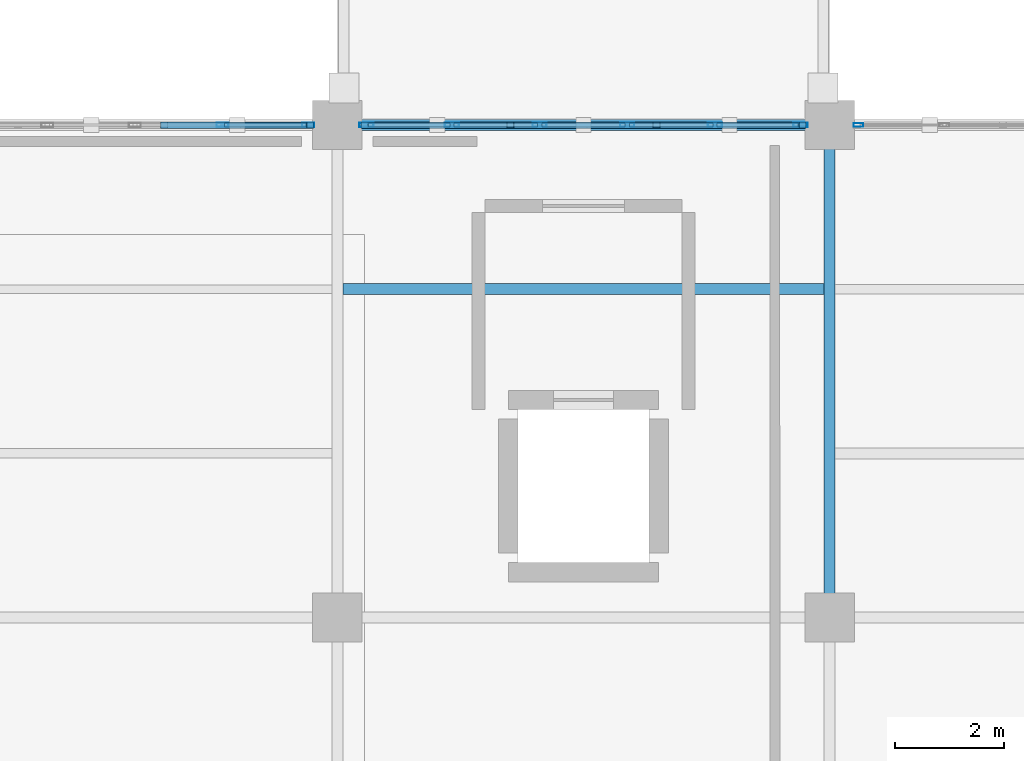
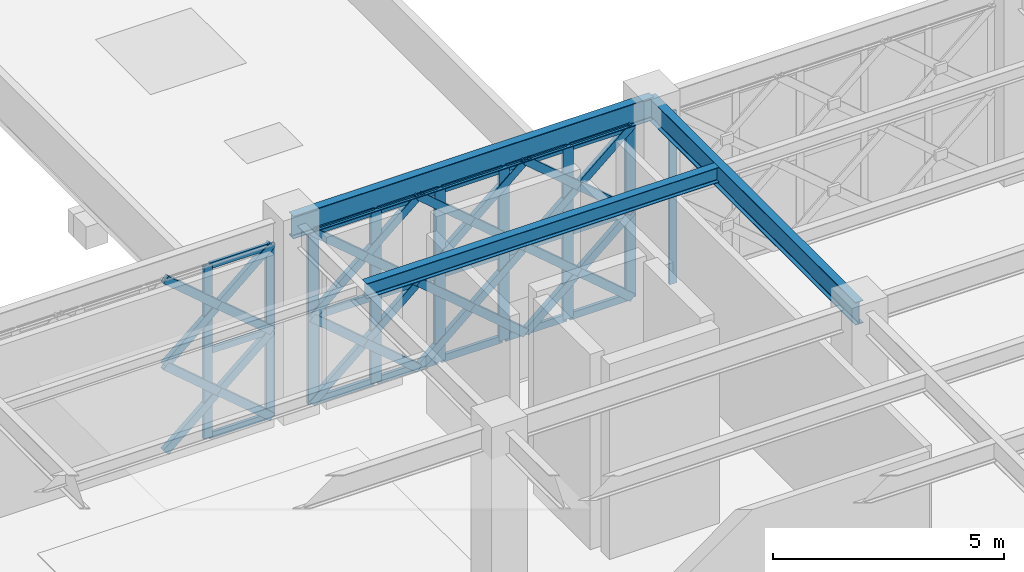
# One storey, part 24 of 155: 51 members, 3 beams, 3 elements without a shape of their own.
"""IFC4 building model written with IfcOpenShell, lengths in metres."""

from ifc_helpers import new_model, si_unit, direction, frame, origin, origin_2d, place, context, subcontext, project, spatial, hollow_rectangle, i_section, extrude, material, material_profile, profile_set, type_object, element, aggregate, save


model = new_model("IFC4")

# Units and contexts
model_context = context("Model", 3, precision=1e-05, world=origin(), true_north=direction((0.0, 1.0)))
body_context = subcontext(model_context, "Body", "Model", "MODEL_VIEW")
ifc_project = project(units=[si_unit("LENGTHUNIT", "METRE"), si_unit("AREAUNIT", "SQUARE_METRE"), si_unit("VOLUMEUNIT", "CUBIC_METRE"), si_unit("PLANEANGLEUNIT", "RADIAN"), si_unit("MASSUNIT", "GRAM", prefix="KILO")], contexts=[model_context])

# Site, building, storey
site_placement = place(None, origin())
site = spatial("IfcSite", under=ifc_project, at=site_placement, CompositionType="ELEMENT")
building_placement = place(site_placement, origin())
building = spatial("IfcBuilding", under=site, at=building_placement, Name="Haizhuo Lancet Aquarium", CompositionType="ELEMENT")
storey_placement = place(building_placement, frame((0.0, 0.0, 10.800048828125)))
storey = spatial("IfcBuildingStorey", under=building, at=storey_placement, Name="L02", CompositionType="ELEMENT", Elevation=10.800048828125)

# Beams
ifc_material_1 = material(Name="Steel S355", Category="steel")
ifc_material_profile_1 = material_profile(ifc_material_1, i_section(OverallWidth=0.199951171875, OverallDepth=0.60009765625, WebThickness=0.010986328125, FlangeThickness=0.01708984375, FilletRadius=0.02197265625, at=origin_2d()), Name="HN 600x200x11x17")
ifc_profile_set_1 = profile_set([ifc_material_profile_1], Name="Steel S355")
beam_type_1 = type_object("IfcBeamType", Name="BM-ST-HN600", PredefinedType="BEAM", material=ifc_profile_set_1)
for number, where, z_axis, x_axis, name in (
    (1, (-63.0, -9.0, 4.85986328125), (1.0, 0.0, 0.0), (0.0, 1.0, 0.0), "L02 V6 primary girder BM-L02-V6-013"),
    (2, (-54.0, -18.0, 4.85986328125), (0.0, 1.0, 0.0), (-1.0, 0.0, 0.0), "L02 V6 primary girder BM-L02-V6-018"),
):
    element("IfcBeam", number, at=place(storey_placement, frame(where, z_axis=z_axis, x_axis=x_axis)), inside=storey, type_object=beam_type_1, Name=name, PredefinedType="BEAM", context=body_context, shape_type="SweptSolid", body=[
        extrude(i_section(OverallWidth=0.199951171875, OverallDepth=0.60009765625, WebThickness=0.010986328125, FlangeThickness=0.01708984375, FilletRadius=0.02197265625, at=origin_2d()), origin(), (0.0, 0.0, 1.0), 9.0),
    ])

# Curtain wall, member
ifc_material_2 = material(Name="Aluminium 6063-T6", Category="aluminium")
curtain_wall_type = type_object("IfcCurtainWallType", Name="CWO-8010x4560", PredefinedType="NOTDEFINED", material=ifc_material_2)
curtain_wall_1_placement = place(storey_placement, origin())
curtain_wall_1 = element("IfcCurtainWall", 3, at=curtain_wall_1_placement, inside=storey, type_object=curtain_wall_type, Name="L02 curtain wall CW-V6-L02-217", PredefinedType="NOTDEFINED")
ifc_material_profile_2 = material_profile(ifc_material_2, hollow_rectangle(XDim=0.06494140625, YDim=0.179931640625, WallThickness=0.00390625, at=origin_2d()), Name="ALU-M 65x180x4")
ifc_profile_set_2 = profile_set([ifc_material_profile_2], Name="Aluminium 6063-T6")
member_type_1 = type_object("IfcMemberType", Name="CW-MUL-1", PredefinedType="MULLION", material=ifc_profile_set_2)
member_1_placement = place(storey_placement, frame((-53.472900390625, -9.0, 0.0), z_axis=(0.0, 0.0, 1.0), x_axis=(0.0, 1.0, 0.0)))
member_1 = element("IfcMember", 4, at=member_1_placement, type_object=member_type_1, Name="CWO-80x45 mullion 1", PredefinedType="MULLION", context=body_context, shape_type="SweptSolid", body=[
    extrude(hollow_rectangle(XDim=0.06494140625, YDim=0.179931640625, WallThickness=0.00390625, at=origin_2d()), origin(), (0.0, 0.0, 1.0), 4.56005859375),
])
aggregate(curtain_wall_1, [member_1])

# Curtain wall, members
curtain_wall_2_placement = place(storey_placement, origin())
curtain_wall_2 = element("IfcCurtainWall", 5, at=curtain_wall_2_placement, inside=storey, type_object=curtain_wall_type, Name="L02 curtain wall CW-V6-L02-215", PredefinedType="NOTDEFINED")
ifc_material_profile_3 = material_profile(ifc_material_2, hollow_rectangle(XDim=0.074951171875, YDim=0.219970703125, WallThickness=0.0048828125, at=origin_2d()), Name="ALU-M 75x220x5")
ifc_profile_set_3 = profile_set([ifc_material_profile_3], Name="Aluminium 6063-T6")
member_type_2 = type_object("IfcMemberType", Name="CW-MUL-2", PredefinedType="MULLION", material=ifc_profile_set_3)
member_2_placement = place(storey_placement, frame((-65.096923828125, -9.0, 0.0), z_axis=(0.0, 0.0, 1.0), x_axis=(0.0, 1.0, 0.0)))
member_2 = element("IfcMember", 6, at=member_2_placement, type_object=member_type_2, Name="CWO-80x45 mullion 5", PredefinedType="MULLION", context=body_context, shape_type="SweptSolid", body=[
    extrude(hollow_rectangle(XDim=0.074951171875, YDim=0.219970703125, WallThickness=0.0048828125, at=origin_2d()), origin(), (0.0, 0.0, 1.0), 4.56005859375),
])
member_3_placement = place(storey_placement, frame((-63.531982421875, -9.0, 0.0), z_axis=(0.0, 0.0, 1.0), x_axis=(0.0, 1.0, 0.0)))
member_3 = element("IfcMember", 7, at=member_3_placement, type_object=member_type_2, Name="CWO-80x45 mullion 6", PredefinedType="MULLION", context=body_context, shape_type="SweptSolid", body=[
    extrude(hollow_rectangle(XDim=0.074951171875, YDim=0.219970703125, WallThickness=0.0048828125, at=origin_2d()), origin(), (0.0, 0.0, 1.0), 4.56005859375),
])

curtain_wall_3_placement = place(storey_placement, origin())
curtain_wall_3 = element("IfcCurtainWall", 8, at=curtain_wall_3_placement, inside=storey, type_object=curtain_wall_type, Name="L02 curtain wall CW-V6-L02-216", PredefinedType="NOTDEFINED")
ifc_material_profile_4 = material_profile(ifc_material_2, hollow_rectangle(XDim=0.080078125, YDim=0.260009765625, WallThickness=0.0048828125, at=origin_2d()), Name="ALU-M 80x260x5")
ifc_profile_set_4 = profile_set([ifc_material_profile_4], Name="Aluminium 6063-T6")
member_type_3 = type_object("IfcMemberType", Name="CW-MUL-3", PredefinedType="MULLION", material=ifc_profile_set_4)
member_4_placement = place(storey_placement, frame((-62.465087890625, -9.0, 0.0), z_axis=(0.0, 0.0, 1.0), x_axis=(0.0, 1.0, 0.0)))
member_4 = element("IfcMember", 9, at=member_4_placement, type_object=member_type_3, Name="CWO-80x45 mullion 1", PredefinedType="MULLION", context=body_context, shape_type="SweptSolid", body=[
    extrude(hollow_rectangle(XDim=0.080078125, YDim=0.260009765625, WallThickness=0.0048828125, at=origin_2d()), origin(), (0.0, 0.0, 1.0), 4.56005859375),
])
member_5_placement = place(storey_placement, frame((-60.903076171875, -9.0, 0.0), z_axis=(0.0, 0.0, 1.0), x_axis=(0.0, 1.0, 0.0)))
member_5 = element("IfcMember", 10, at=member_5_placement, type_object=member_type_3, Name="CWO-80x45 mullion 2", PredefinedType="MULLION", context=body_context, shape_type="SweptSolid", body=[
    extrude(hollow_rectangle(XDim=0.080078125, YDim=0.260009765625, WallThickness=0.0048828125, at=origin_2d()), origin(), (0.0, 0.0, 1.0), 4.56005859375),
])
member_6_placement = place(storey_placement, frame((-59.301025390625, -9.0, 0.0), z_axis=(0.0, 0.0, 1.0), x_axis=(0.0, 1.0, 0.0)))
member_6 = element("IfcMember", 11, at=member_6_placement, type_object=member_type_3, Name="CWO-80x45 mullion 3", PredefinedType="MULLION", context=body_context, shape_type="SweptSolid", body=[
    extrude(hollow_rectangle(XDim=0.080078125, YDim=0.260009765625, WallThickness=0.0048828125, at=origin_2d()), origin(), (0.0, 0.0, 1.0), 4.56005859375),
])
member_7_placement = place(storey_placement, frame((-57.698974609375, -9.0, 0.0), z_axis=(0.0, 0.0, 1.0), x_axis=(0.0, 1.0, 0.0)))
member_7 = element("IfcMember", 12, at=member_7_placement, type_object=member_type_3, Name="CWO-80x45 mullion 4", PredefinedType="MULLION", context=body_context, shape_type="SweptSolid", body=[
    extrude(hollow_rectangle(XDim=0.080078125, YDim=0.260009765625, WallThickness=0.0048828125, at=origin_2d()), origin(), (0.0, 0.0, 1.0), 4.56005859375),
])
member_8_placement = place(storey_placement, frame((-56.096923828125, -9.0, 0.0), z_axis=(0.0, 0.0, 1.0), x_axis=(0.0, 1.0, 0.0)))
member_8 = element("IfcMember", 13, at=member_8_placement, type_object=member_type_3, Name="CWO-80x45 mullion 5", PredefinedType="MULLION", context=body_context, shape_type="SweptSolid", body=[
    extrude(hollow_rectangle(XDim=0.080078125, YDim=0.260009765625, WallThickness=0.0048828125, at=origin_2d()), origin(), (0.0, 0.0, 1.0), 4.56005859375),
])
member_9_placement = place(storey_placement, frame((-54.534912109375, -9.0, 0.0), z_axis=(0.0, 0.0, 1.0), x_axis=(0.0, 1.0, 0.0)))
member_9 = element("IfcMember", 14, at=member_9_placement, type_object=member_type_3, Name="CWO-80x45 mullion 6", PredefinedType="MULLION", context=body_context, shape_type="SweptSolid", body=[
    extrude(hollow_rectangle(XDim=0.080078125, YDim=0.260009765625, WallThickness=0.0048828125, at=origin_2d()), origin(), (0.0, 0.0, 1.0), 4.56005859375),
])

# Member
ifc_material_profile_5 = material_profile(ifc_material_2, hollow_rectangle(XDim=0.074951171875, YDim=0.159912109375, WallThickness=0.00390625, at=origin_2d()), Name="ALU-T 75x160x4")
ifc_profile_set_5 = profile_set([ifc_material_profile_5], Name="Aluminium 6063-T6")
member_type_4 = type_object("IfcMemberType", Name="CW-TRN-2", PredefinedType="NOTDEFINED", material=ifc_profile_set_5)
member_10_placement = place(storey_placement, frame((-65.05908203125, -9.0, 0.037841796875), z_axis=(1.0, 0.0, 0.0), x_axis=(0.0, 1.0, 0.0)))
member_10 = element("IfcMember", 15, at=member_10_placement, type_object=member_type_4, Name="CWO-80x45 transom 5.1", ObjectType="TRANSOM", PredefinedType="USERDEFINED", context=body_context, shape_type="SweptSolid", body=[
    extrude(hollow_rectangle(XDim=0.074951171875, YDim=0.159912109375, WallThickness=0.00390625, at=origin_2d()), origin(), (0.0, 0.0, 1.0), 1.489013671875),
])

member_11_placement = place(storey_placement, frame((-65.05908203125, -9.0, 2.280029296875), z_axis=(1.0, 0.0, 0.0), x_axis=(0.0, 1.0, 0.0)))
member_11 = element("IfcMember", 16, at=member_11_placement, type_object=member_type_4, Name="CWO-80x45 transom 5.2", ObjectType="TRANSOM", PredefinedType="USERDEFINED", context=body_context, shape_type="SweptSolid", body=[
    extrude(hollow_rectangle(XDim=0.074951171875, YDim=0.159912109375, WallThickness=0.00390625, at=origin_2d()), origin(), (0.0, 0.0, 1.0), 1.489013671875),
])

member_12_placement = place(storey_placement, frame((-65.05908203125, -9.0, 4.52197265625), z_axis=(1.0, 0.0, 0.0), x_axis=(0.0, 1.0, 0.0)))
member_12 = element("IfcMember", 17, at=member_12_placement, type_object=member_type_4, Name="CWO-80x45 transom 5.3", ObjectType="TRANSOM", PredefinedType="USERDEFINED", context=body_context, shape_type="SweptSolid", body=[
    extrude(hollow_rectangle(XDim=0.074951171875, YDim=0.159912109375, WallThickness=0.00390625, at=origin_2d()), origin(), (0.0, 0.0, 1.0), 1.489013671875),
])

aggregate(curtain_wall_2, [member_2, member_3, member_10, member_11, member_12])

ifc_material_profile_6 = material_profile(ifc_material_2, hollow_rectangle(XDim=0.080078125, YDim=0.18994140625, WallThickness=0.0048828125, at=origin_2d()), Name="ALU-T 80x190x5")
ifc_profile_set_6 = profile_set([ifc_material_profile_6], Name="Aluminium 6063-T6")
member_type_5 = type_object("IfcMemberType", Name="CW-TRN-3", PredefinedType="NOTDEFINED", material=ifc_profile_set_6)
member_13_placement = place(storey_placement, frame((-62.425048828125, -9.0, 0.0400390625), z_axis=(1.0, 0.0, 0.0), x_axis=(0.0, 1.0, 0.0)))
member_13 = element("IfcMember", 18, at=member_13_placement, type_object=member_type_5, Name="CWO-80x45 transom 1.1", ObjectType="TRANSOM", PredefinedType="USERDEFINED", context=body_context, shape_type="SweptSolid", body=[
    extrude(hollow_rectangle(XDim=0.080078125, YDim=0.18994140625, WallThickness=0.0048828125, at=origin_2d()), origin(), (0.0, 0.0, 1.0), 1.48193359375),
])

member_14_placement = place(storey_placement, frame((-62.425048828125, -9.0, 2.280029296875), z_axis=(1.0, 0.0, 0.0), x_axis=(0.0, 1.0, 0.0)))
member_14 = element("IfcMember", 19, at=member_14_placement, type_object=member_type_5, Name="CWO-80x45 transom 1.2", ObjectType="TRANSOM", PredefinedType="USERDEFINED", context=body_context, shape_type="SweptSolid", body=[
    extrude(hollow_rectangle(XDim=0.080078125, YDim=0.18994140625, WallThickness=0.0048828125, at=origin_2d()), origin(), (0.0, 0.0, 1.0), 1.48193359375),
])

member_15_placement = place(storey_placement, frame((-62.425048828125, -9.0, 4.52001953125), z_axis=(1.0, 0.0, 0.0), x_axis=(0.0, 1.0, 0.0)))
member_15 = element("IfcMember", 20, at=member_15_placement, type_object=member_type_5, Name="CWO-80x45 transom 1.3", ObjectType="TRANSOM", PredefinedType="USERDEFINED", context=body_context, shape_type="SweptSolid", body=[
    extrude(hollow_rectangle(XDim=0.080078125, YDim=0.18994140625, WallThickness=0.0048828125, at=origin_2d()), origin(), (0.0, 0.0, 1.0), 1.48193359375),
])

member_16_placement = place(storey_placement, frame((-60.863037109375, -9.0, 0.0400390625), z_axis=(1.0, 0.0, 0.0), x_axis=(0.0, 1.0, 0.0)))
member_16 = element("IfcMember", 21, at=member_16_placement, type_object=member_type_5, Name="CWO-80x45 transom 2.1", ObjectType="TRANSOM", PredefinedType="USERDEFINED", context=body_context, shape_type="SweptSolid", body=[
    extrude(hollow_rectangle(XDim=0.080078125, YDim=0.18994140625, WallThickness=0.0048828125, at=origin_2d()), origin(), (0.0, 0.0, 1.0), 1.52197265625),
])

member_17_placement = place(storey_placement, frame((-60.863037109375, -9.0, 2.280029296875), z_axis=(1.0, 0.0, 0.0), x_axis=(0.0, 1.0, 0.0)))
member_17 = element("IfcMember", 22, at=member_17_placement, type_object=member_type_5, Name="CWO-80x45 transom 2.2", ObjectType="TRANSOM", PredefinedType="USERDEFINED", context=body_context, shape_type="SweptSolid", body=[
    extrude(hollow_rectangle(XDim=0.080078125, YDim=0.18994140625, WallThickness=0.0048828125, at=origin_2d()), origin(), (0.0, 0.0, 1.0), 1.52197265625),
])

member_18_placement = place(storey_placement, frame((-60.863037109375, -9.0, 4.52001953125), z_axis=(1.0, 0.0, 0.0), x_axis=(0.0, 1.0, 0.0)))
member_18 = element("IfcMember", 23, at=member_18_placement, type_object=member_type_5, Name="CWO-80x45 transom 2.3", ObjectType="TRANSOM", PredefinedType="USERDEFINED", context=body_context, shape_type="SweptSolid", body=[
    extrude(hollow_rectangle(XDim=0.080078125, YDim=0.18994140625, WallThickness=0.0048828125, at=origin_2d()), origin(), (0.0, 0.0, 1.0), 1.52197265625),
])

member_19_placement = place(storey_placement, frame((-59.260986328125, -9.0, 0.0400390625), z_axis=(1.0, 0.0, 0.0), x_axis=(0.0, 1.0, 0.0)))
member_19 = element("IfcMember", 24, at=member_19_placement, type_object=member_type_5, Name="CWO-80x45 transom 3.1", ObjectType="TRANSOM", PredefinedType="USERDEFINED", context=body_context, shape_type="SweptSolid", body=[
    extrude(hollow_rectangle(XDim=0.080078125, YDim=0.18994140625, WallThickness=0.0048828125, at=origin_2d()), origin(), (0.0, 0.0, 1.0), 1.52197265625),
])

member_20_placement = place(storey_placement, frame((-59.260986328125, -9.0, 2.280029296875), z_axis=(1.0, 0.0, 0.0), x_axis=(0.0, 1.0, 0.0)))
member_20 = element("IfcMember", 25, at=member_20_placement, type_object=member_type_5, Name="CWO-80x45 transom 3.2", ObjectType="TRANSOM", PredefinedType="USERDEFINED", context=body_context, shape_type="SweptSolid", body=[
    extrude(hollow_rectangle(XDim=0.080078125, YDim=0.18994140625, WallThickness=0.0048828125, at=origin_2d()), origin(), (0.0, 0.0, 1.0), 1.52197265625),
])

member_21_placement = place(storey_placement, frame((-59.260986328125, -9.0, 4.52001953125), z_axis=(1.0, 0.0, 0.0), x_axis=(0.0, 1.0, 0.0)))
member_21 = element("IfcMember", 26, at=member_21_placement, type_object=member_type_5, Name="CWO-80x45 transom 3.3", ObjectType="TRANSOM", PredefinedType="USERDEFINED", context=body_context, shape_type="SweptSolid", body=[
    extrude(hollow_rectangle(XDim=0.080078125, YDim=0.18994140625, WallThickness=0.0048828125, at=origin_2d()), origin(), (0.0, 0.0, 1.0), 1.52197265625),
])

member_22_placement = place(storey_placement, frame((-57.658935546875, -9.0, 0.0400390625), z_axis=(1.0, 0.0, 0.0), x_axis=(0.0, 1.0, 0.0)))
member_22 = element("IfcMember", 27, at=member_22_placement, type_object=member_type_5, Name="CWO-80x45 transom 4.1", ObjectType="TRANSOM", PredefinedType="USERDEFINED", context=body_context, shape_type="SweptSolid", body=[
    extrude(hollow_rectangle(XDim=0.080078125, YDim=0.18994140625, WallThickness=0.0048828125, at=origin_2d()), origin(), (0.0, 0.0, 1.0), 1.52197265625),
])

member_23_placement = place(storey_placement, frame((-57.658935546875, -9.0, 2.280029296875), z_axis=(1.0, 0.0, 0.0), x_axis=(0.0, 1.0, 0.0)))
member_23 = element("IfcMember", 28, at=member_23_placement, type_object=member_type_5, Name="CWO-80x45 transom 4.2", ObjectType="TRANSOM", PredefinedType="USERDEFINED", context=body_context, shape_type="SweptSolid", body=[
    extrude(hollow_rectangle(XDim=0.080078125, YDim=0.18994140625, WallThickness=0.0048828125, at=origin_2d()), origin(), (0.0, 0.0, 1.0), 1.52197265625),
])

member_24_placement = place(storey_placement, frame((-57.658935546875, -9.0, 4.52001953125), z_axis=(1.0, 0.0, 0.0), x_axis=(0.0, 1.0, 0.0)))
member_24 = element("IfcMember", 29, at=member_24_placement, type_object=member_type_5, Name="CWO-80x45 transom 4.3", ObjectType="TRANSOM", PredefinedType="USERDEFINED", context=body_context, shape_type="SweptSolid", body=[
    extrude(hollow_rectangle(XDim=0.080078125, YDim=0.18994140625, WallThickness=0.0048828125, at=origin_2d()), origin(), (0.0, 0.0, 1.0), 1.52197265625),
])

member_25_placement = place(storey_placement, frame((-56.056884765625, -9.0, 0.0400390625), z_axis=(1.0, 0.0, 0.0), x_axis=(0.0, 1.0, 0.0)))
member_25 = element("IfcMember", 30, at=member_25_placement, type_object=member_type_5, Name="CWO-80x45 transom 5.1", ObjectType="TRANSOM", PredefinedType="USERDEFINED", context=body_context, shape_type="SweptSolid", body=[
    extrude(hollow_rectangle(XDim=0.080078125, YDim=0.18994140625, WallThickness=0.0048828125, at=origin_2d()), origin(), (0.0, 0.0, 1.0), 1.48193359375),
])

member_26_placement = place(storey_placement, frame((-56.056884765625, -9.0, 2.280029296875), z_axis=(1.0, 0.0, 0.0), x_axis=(0.0, 1.0, 0.0)))
member_26 = element("IfcMember", 31, at=member_26_placement, type_object=member_type_5, Name="CWO-80x45 transom 5.2", ObjectType="TRANSOM", PredefinedType="USERDEFINED", context=body_context, shape_type="SweptSolid", body=[
    extrude(hollow_rectangle(XDim=0.080078125, YDim=0.18994140625, WallThickness=0.0048828125, at=origin_2d()), origin(), (0.0, 0.0, 1.0), 1.48193359375),
])

member_27_placement = place(storey_placement, frame((-56.056884765625, -9.0, 4.52001953125), z_axis=(1.0, 0.0, 0.0), x_axis=(0.0, 1.0, 0.0)))
member_27 = element("IfcMember", 32, at=member_27_placement, type_object=member_type_5, Name="CWO-80x45 transom 5.3", ObjectType="TRANSOM", PredefinedType="USERDEFINED", context=body_context, shape_type="SweptSolid", body=[
    extrude(hollow_rectangle(XDim=0.080078125, YDim=0.18994140625, WallThickness=0.0048828125, at=origin_2d()), origin(), (0.0, 0.0, 1.0), 1.48193359375),
])

aggregate(curtain_wall_3, [member_4, member_5, member_6, member_7, member_8, member_9, member_13, member_14, member_15, member_16, member_17, member_18, member_19, member_20, member_21, member_22, member_23, member_24, member_25, member_26, member_27])

# Beam
ifc_material_profile_7 = material_profile(ifc_material_1, i_section(OverallWidth=0.199951171875, OverallDepth=0.39990234375, WebThickness=0.008056640625, FlangeThickness=0.012939453125, FilletRadius=0.01611328125, at=origin_2d()), Name="HN 400x200x8x13")
ifc_profile_set_7 = profile_set([ifc_material_profile_7], Name="Steel S355")
beam_type_2 = type_object("IfcBeamType", Name="JST-ST-HN400", PredefinedType="JOIST", material=ifc_profile_set_7)
beam_placement = place(storey_placement, frame((-62.89990234375, -12.0, 4.9599609375), z_axis=(1.0, 0.0, 0.0), x_axis=(0.0, 1.0, 0.0)))
element("IfcBeam", 33, at=beam_placement, inside=storey, type_object=beam_type_2, Name="L02 V6 secondary floor joist 9", PredefinedType="JOIST", context=body_context, shape_type="SweptSolid", body=[
    extrude(i_section(OverallWidth=0.199951171875, OverallDepth=0.39990234375, WebThickness=0.008056640625, FlangeThickness=0.012939453125, FilletRadius=0.01611328125, at=origin_2d()), origin(), (0.0, 0.0, 1.0), 8.7998046875),
])

# Members
ifc_material_profile_8 = material_profile(ifc_material_1, hollow_rectangle(XDim=0.1201171875, YDim=0.199951171875, WallThickness=0.008056640625, at=origin_2d()), Name="RHS 120x200x8")
ifc_profile_set_8 = profile_set([ifc_material_profile_8], Name="Steel S355")
member_type_6 = type_object("IfcMemberType", Name="MEM-LB-RHS120x200", PredefinedType="BRACE", material=ifc_profile_set_8)
member_28_placement = place(storey_placement, frame((-66.1650390625, -9.0, 0.0), z_axis=(0.760448077829, 0.0, 0.649398738007), x_axis=(0.0, 1.0, 0.0)))
element("IfcMember", 34, at=member_28_placement, inside=storey, type_object=member_type_6, Name="Gothic lancet continuous diagonal brace CW-V6-L02-215 5A", PredefinedType="BRACE", context=body_context, shape_type="SweptSolid", body=[
    extrude(hollow_rectangle(XDim=0.1201171875, YDim=0.199951171875, WallThickness=0.008056640625, at=origin_2d()), origin(), (0.0, 0.0, 1.0), 3.510986328125),
])
member_29_placement = place(storey_placement, frame((-63.4951171875, -9.0, 0.0), z_axis=(-0.760482417667, 0.0, 0.649358523791), x_axis=(0.0, -1.0, 0.0)))
element("IfcMember", 35, at=member_29_placement, inside=storey, type_object=member_type_6, Name="Gothic lancet split diagonal brace CW-V6-L02-215 5B1", PredefinedType="BRACE", context=body_context, shape_type="SweptSolid", body=[
    extrude(hollow_rectangle(XDim=0.1201171875, YDim=0.199951171875, WallThickness=0.008056640625, at=origin_2d()), origin(), (0.0, 0.0, 1.0), 1.75537109375),
])
member_30_placement = place(storey_placement, frame((-64.830078125, -9.0, 1.139892578125), z_axis=(-0.760413738967, 0.0, 0.649438946777), x_axis=(0.0, -1.0, 0.0)))
element("IfcMember", 36, at=member_30_placement, inside=storey, type_object=member_type_6, Name="Gothic lancet split diagonal brace CW-V6-L02-215 5B2", PredefinedType="BRACE", context=body_context, shape_type="SweptSolid", body=[
    extrude(hollow_rectangle(XDim=0.1201171875, YDim=0.199951171875, WallThickness=0.008056640625, at=origin_2d()), origin(), (0.0, 0.0, 1.0), 1.755615234375),
])
member_31_placement = place(storey_placement, frame((-66.1650390625, -9.0, 2.280029296875), z_axis=(0.760448077829, 0.0, 0.649398738007), x_axis=(0.0, 1.0, 0.0)))
element("IfcMember", 37, at=member_31_placement, inside=storey, type_object=member_type_6, Name="Gothic lancet continuous diagonal brace CW-V6-L02-215 6A", PredefinedType="BRACE", context=body_context, shape_type="SweptSolid", body=[
    extrude(hollow_rectangle(XDim=0.1201171875, YDim=0.199951171875, WallThickness=0.008056640625, at=origin_2d()), origin(), (0.0, 0.0, 1.0), 3.510986328125),
])
member_32_placement = place(storey_placement, frame((-63.4951171875, -9.0, 2.280029296875), z_axis=(-0.760482417667, 0.0, 0.649358523791), x_axis=(0.0, -1.0, 0.0)))
element("IfcMember", 38, at=member_32_placement, inside=storey, type_object=member_type_6, Name="Gothic lancet split diagonal brace CW-V6-L02-215 6B1", PredefinedType="BRACE", context=body_context, shape_type="SweptSolid", body=[
    extrude(hollow_rectangle(XDim=0.1201171875, YDim=0.199951171875, WallThickness=0.008056640625, at=origin_2d()), origin(), (0.0, 0.0, 1.0), 1.75537109375),
])
member_33_placement = place(storey_placement, frame((-64.830078125, -9.0, 3.419921875), z_axis=(-0.760413738967, 0.0, 0.649438946777), x_axis=(0.0, -1.0, 0.0)))
element("IfcMember", 39, at=member_33_placement, inside=storey, type_object=member_type_6, Name="Gothic lancet split diagonal brace CW-V6-L02-215 6B2", PredefinedType="BRACE", context=body_context, shape_type="SweptSolid", body=[
    extrude(hollow_rectangle(XDim=0.1201171875, YDim=0.199951171875, WallThickness=0.008056640625, at=origin_2d()), origin(), (0.0, 0.0, 1.0), 1.755615234375),
])
member_34_placement = place(storey_placement, frame((-62.5048828125, -9.0, 0.0), z_axis=(0.760448077829, 0.0, 0.649398738007), x_axis=(0.0, 1.0, 0.0)))
element("IfcMember", 40, at=member_34_placement, inside=storey, type_object=member_type_6, Name="Gothic lancet continuous diagonal brace CW-V6-L02-216 1A", PredefinedType="BRACE", context=body_context, shape_type="SweptSolid", body=[
    extrude(hollow_rectangle(XDim=0.1201171875, YDim=0.199951171875, WallThickness=0.008056640625, at=origin_2d()), origin(), (0.0, 0.0, 1.0), 3.510986328125),
])
member_35_placement = place(storey_placement, frame((-59.8349609375, -9.0, 0.0), z_axis=(-0.760482417667, 0.0, 0.649358523791), x_axis=(0.0, -1.0, 0.0)))
element("IfcMember", 41, at=member_35_placement, inside=storey, type_object=member_type_6, Name="Gothic lancet split diagonal brace CW-V6-L02-216 1B1", PredefinedType="BRACE", context=body_context, shape_type="SweptSolid", body=[
    extrude(hollow_rectangle(XDim=0.1201171875, YDim=0.199951171875, WallThickness=0.008056640625, at=origin_2d()), origin(), (0.0, 0.0, 1.0), 1.75537109375),
])
member_36_placement = place(storey_placement, frame((-61.169921875, -9.0, 1.139892578125), z_axis=(-0.760413738967, 0.0, 0.649438946777), x_axis=(0.0, -1.0, 0.0)))
element("IfcMember", 42, at=member_36_placement, inside=storey, type_object=member_type_6, Name="Gothic lancet split diagonal brace CW-V6-L02-216 1B2", PredefinedType="BRACE", context=body_context, shape_type="SweptSolid", body=[
    extrude(hollow_rectangle(XDim=0.1201171875, YDim=0.199951171875, WallThickness=0.008056640625, at=origin_2d()), origin(), (0.0, 0.0, 1.0), 1.755615234375),
])
member_37_placement = place(storey_placement, frame((-62.5048828125, -9.0, 2.280029296875), z_axis=(0.760448077829, 0.0, 0.649398738007), x_axis=(0.0, 1.0, 0.0)))
element("IfcMember", 43, at=member_37_placement, inside=storey, type_object=member_type_6, Name="Gothic lancet continuous diagonal brace CW-V6-L02-216 2A", PredefinedType="BRACE", context=body_context, shape_type="SweptSolid", body=[
    extrude(hollow_rectangle(XDim=0.1201171875, YDim=0.199951171875, WallThickness=0.008056640625, at=origin_2d()), origin(), (0.0, 0.0, 1.0), 3.510986328125),
])
member_38_placement = place(storey_placement, frame((-59.8349609375, -9.0, 2.280029296875), z_axis=(-0.760482417667, 0.0, 0.649358523791), x_axis=(0.0, -1.0, 0.0)))
element("IfcMember", 44, at=member_38_placement, inside=storey, type_object=member_type_6, Name="Gothic lancet split diagonal brace CW-V6-L02-216 2B1", PredefinedType="BRACE", context=body_context, shape_type="SweptSolid", body=[
    extrude(hollow_rectangle(XDim=0.1201171875, YDim=0.199951171875, WallThickness=0.008056640625, at=origin_2d()), origin(), (0.0, 0.0, 1.0), 1.75537109375),
])
member_39_placement = place(storey_placement, frame((-61.169921875, -9.0, 3.419921875), z_axis=(-0.760413738967, 0.0, 0.649438946777), x_axis=(0.0, -1.0, 0.0)))
element("IfcMember", 45, at=member_39_placement, inside=storey, type_object=member_type_6, Name="Gothic lancet split diagonal brace CW-V6-L02-216 2B2", PredefinedType="BRACE", context=body_context, shape_type="SweptSolid", body=[
    extrude(hollow_rectangle(XDim=0.1201171875, YDim=0.199951171875, WallThickness=0.008056640625, at=origin_2d()), origin(), (0.0, 0.0, 1.0), 1.755615234375),
])
member_40_placement = place(storey_placement, frame((-59.8349609375, -9.0, 0.0), z_axis=(0.760448077829, 0.0, 0.649398738007), x_axis=(0.0, 1.0, 0.0)))
element("IfcMember", 46, at=member_40_placement, inside=storey, type_object=member_type_6, Name="Gothic lancet continuous diagonal brace CW-V6-L02-216 3A", PredefinedType="BRACE", context=body_context, shape_type="SweptSolid", body=[
    extrude(hollow_rectangle(XDim=0.1201171875, YDim=0.199951171875, WallThickness=0.008056640625, at=origin_2d()), origin(), (0.0, 0.0, 1.0), 3.510986328125),
])
member_41_placement = place(storey_placement, frame((-57.1650390625, -9.0, 0.0), z_axis=(-0.760482417667, 0.0, 0.649358523791), x_axis=(0.0, -1.0, 0.0)))
element("IfcMember", 47, at=member_41_placement, inside=storey, type_object=member_type_6, Name="Gothic lancet split diagonal brace CW-V6-L02-216 3B1", PredefinedType="BRACE", context=body_context, shape_type="SweptSolid", body=[
    extrude(hollow_rectangle(XDim=0.1201171875, YDim=0.199951171875, WallThickness=0.008056640625, at=origin_2d()), origin(), (0.0, 0.0, 1.0), 1.75537109375),
])
member_42_placement = place(storey_placement, frame((-58.5, -9.0, 1.139892578125), z_axis=(-0.760413738967, 0.0, 0.649438946777), x_axis=(0.0, -1.0, 0.0)))
element("IfcMember", 48, at=member_42_placement, inside=storey, type_object=member_type_6, Name="Gothic lancet split diagonal brace CW-V6-L02-216 3B2", PredefinedType="BRACE", context=body_context, shape_type="SweptSolid", body=[
    extrude(hollow_rectangle(XDim=0.1201171875, YDim=0.199951171875, WallThickness=0.008056640625, at=origin_2d()), origin(), (0.0, 0.0, 1.0), 1.755615234375),
])
member_43_placement = place(storey_placement, frame((-59.8349609375, -9.0, 2.280029296875), z_axis=(0.760448077829, 0.0, 0.649398738007), x_axis=(0.0, 1.0, 0.0)))
element("IfcMember", 49, at=member_43_placement, inside=storey, type_object=member_type_6, Name="Gothic lancet continuous diagonal brace CW-V6-L02-216 4A", PredefinedType="BRACE", context=body_context, shape_type="SweptSolid", body=[
    extrude(hollow_rectangle(XDim=0.1201171875, YDim=0.199951171875, WallThickness=0.008056640625, at=origin_2d()), origin(), (0.0, 0.0, 1.0), 3.510986328125),
])
member_44_placement = place(storey_placement, frame((-57.1650390625, -9.0, 2.280029296875), z_axis=(-0.760482417667, 0.0, 0.649358523791), x_axis=(0.0, -1.0, 0.0)))
element("IfcMember", 50, at=member_44_placement, inside=storey, type_object=member_type_6, Name="Gothic lancet split diagonal brace CW-V6-L02-216 4B1", PredefinedType="BRACE", context=body_context, shape_type="SweptSolid", body=[
    extrude(hollow_rectangle(XDim=0.1201171875, YDim=0.199951171875, WallThickness=0.008056640625, at=origin_2d()), origin(), (0.0, 0.0, 1.0), 1.75537109375),
])
member_45_placement = place(storey_placement, frame((-58.5, -9.0, 3.419921875), z_axis=(-0.760413738967, 0.0, 0.649438946777), x_axis=(0.0, -1.0, 0.0)))
element("IfcMember", 51, at=member_45_placement, inside=storey, type_object=member_type_6, Name="Gothic lancet split diagonal brace CW-V6-L02-216 4B2", PredefinedType="BRACE", context=body_context, shape_type="SweptSolid", body=[
    extrude(hollow_rectangle(XDim=0.1201171875, YDim=0.199951171875, WallThickness=0.008056640625, at=origin_2d()), origin(), (0.0, 0.0, 1.0), 1.755615234375),
])
member_46_placement = place(storey_placement, frame((-57.1650390625, -9.0, 0.0), z_axis=(0.760448077829, 0.0, 0.649398738007), x_axis=(0.0, 1.0, 0.0)))
element("IfcMember", 52, at=member_46_placement, inside=storey, type_object=member_type_6, Name="Gothic lancet continuous diagonal brace CW-V6-L02-216 5A", PredefinedType="BRACE", context=body_context, shape_type="SweptSolid", body=[
    extrude(hollow_rectangle(XDim=0.1201171875, YDim=0.199951171875, WallThickness=0.008056640625, at=origin_2d()), origin(), (0.0, 0.0, 1.0), 3.510986328125),
])
member_47_placement = place(storey_placement, frame((-54.4951171875, -9.0, 0.0), z_axis=(-0.760482417667, 0.0, 0.649358523791), x_axis=(0.0, -1.0, 0.0)))
element("IfcMember", 53, at=member_47_placement, inside=storey, type_object=member_type_6, Name="Gothic lancet split diagonal brace CW-V6-L02-216 5B1", PredefinedType="BRACE", context=body_context, shape_type="SweptSolid", body=[
    extrude(hollow_rectangle(XDim=0.1201171875, YDim=0.199951171875, WallThickness=0.008056640625, at=origin_2d()), origin(), (0.0, 0.0, 1.0), 1.75537109375),
])
member_48_placement = place(storey_placement, frame((-55.830078125, -9.0, 1.139892578125), z_axis=(-0.760413738967, 0.0, 0.649438946777), x_axis=(0.0, -1.0, 0.0)))
element("IfcMember", 54, at=member_48_placement, inside=storey, type_object=member_type_6, Name="Gothic lancet split diagonal brace CW-V6-L02-216 5B2", PredefinedType="BRACE", context=body_context, shape_type="SweptSolid", body=[
    extrude(hollow_rectangle(XDim=0.1201171875, YDim=0.199951171875, WallThickness=0.008056640625, at=origin_2d()), origin(), (0.0, 0.0, 1.0), 1.755615234375),
])
member_49_placement = place(storey_placement, frame((-57.1650390625, -9.0, 2.280029296875), z_axis=(0.760448077829, 0.0, 0.649398738007), x_axis=(0.0, 1.0, 0.0)))
element("IfcMember", 55, at=member_49_placement, inside=storey, type_object=member_type_6, Name="Gothic lancet continuous diagonal brace CW-V6-L02-216 6A", PredefinedType="BRACE", context=body_context, shape_type="SweptSolid", body=[
    extrude(hollow_rectangle(XDim=0.1201171875, YDim=0.199951171875, WallThickness=0.008056640625, at=origin_2d()), origin(), (0.0, 0.0, 1.0), 3.510986328125),
])
member_50_placement = place(storey_placement, frame((-54.4951171875, -9.0, 2.280029296875), z_axis=(-0.760482417667, 0.0, 0.649358523791), x_axis=(0.0, -1.0, 0.0)))
element("IfcMember", 56, at=member_50_placement, inside=storey, type_object=member_type_6, Name="Gothic lancet split diagonal brace CW-V6-L02-216 6B1", PredefinedType="BRACE", context=body_context, shape_type="SweptSolid", body=[
    extrude(hollow_rectangle(XDim=0.1201171875, YDim=0.199951171875, WallThickness=0.008056640625, at=origin_2d()), origin(), (0.0, 0.0, 1.0), 1.75537109375),
])
member_51_placement = place(storey_placement, frame((-55.830078125, -9.0, 3.419921875), z_axis=(-0.760413738967, 0.0, 0.649438946777), x_axis=(0.0, -1.0, 0.0)))
element("IfcMember", 57, at=member_51_placement, inside=storey, type_object=member_type_6, Name="Gothic lancet split diagonal brace CW-V6-L02-216 6B2", PredefinedType="BRACE", context=body_context, shape_type="SweptSolid", body=[
    extrude(hollow_rectangle(XDim=0.1201171875, YDim=0.199951171875, WallThickness=0.008056640625, at=origin_2d()), origin(), (0.0, 0.0, 1.0), 1.755615234375),
])

save(model, "model.ifc")
